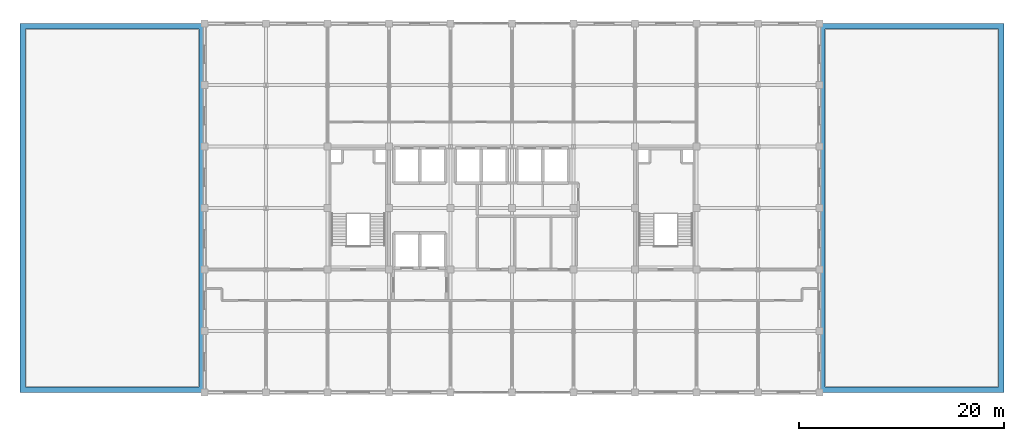
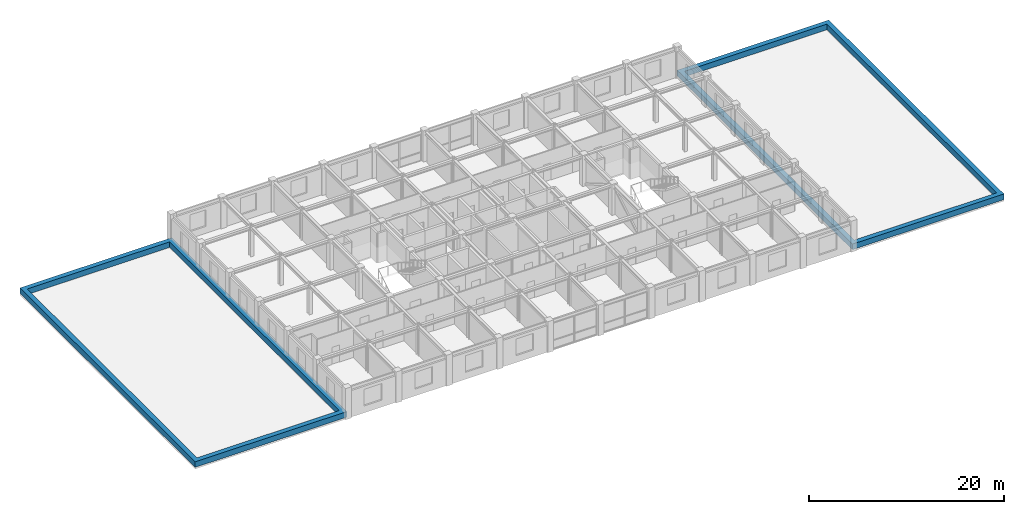
# One storey, part 12 of 13: 2 roofs.
"""IFC4 building model written with IfcOpenShell, lengths in metres."""

import ifcopenshell
import ifcopenshell.guid

model = None  # the IFC model being written
_history = None  # IfcOwnerHistory: only IFC2X3 demands one
_inside = {}  # id of a spatial element -> (the spatial element, [elements in it])
_under = {}  # id of a project, library or spatial element -> (it, [spatial elements below it])
_declared = {}  # id of a project -> (the project, [libraries it declares])
_typed = {}  # id of a type object -> (the type object, [elements of that type])
_made_of = {}  # id of a material, layer set ... -> (it, [elements and type objects made of it])


def new_model(schema):
    """Start an empty IFC model of exactly this schema.

    Asked for "IFC4X3", IfcOpenShell would pick the latest addendum, in which some entities
    have other attributes; the version numbers below select the first issue.
    IFC2X3 requires an IfcOwnerHistory on every rooted entity: one is made here for all.
    """
    global model, _history
    if schema == "IFC4X3":
        model = ifcopenshell.file(schema_version=(4, 3, 0, 0))
    else:
        model = ifcopenshell.file(schema=schema)
    _inside.clear()
    _under.clear()
    _declared.clear()
    _typed.clear()
    _made_of.clear()
    _history = None
    if model.schema == "IFC2X3":
        org = make("IfcOrganization", Name="unknown")
        user = make(
            "IfcPersonAndOrganization",
            ThePerson=make("IfcPerson", FamilyName="unknown"),
            TheOrganization=org,
        )
        app = make(
            "IfcApplication",
            ApplicationDeveloper=org,
            Version="unknown",
            ApplicationFullName="unknown",
            ApplicationIdentifier="unknown",
        )
        _history = make(
            "IfcOwnerHistory",
            OwningUser=user,
            OwningApplication=app,
            ChangeAction="ADDED",
            CreationDate=0,
        )
    return model


def make(cls, **values):
    """One entity of the class cls with the attributes given. An attribute that is None is left unset."""
    return model.create_entity(
        cls, **{name: value for name, value in values.items() if value is not None}
    )


def rooted(cls, **values):
    """An entity with a GlobalId (a new one), such as an element, a storey or a relation."""
    return make(cls, GlobalId=ifcopenshell.guid.new(), OwnerHistory=_history, **values)


def si_unit(unit_type, name, prefix=None):
    """IfcSIUnit, for example si_unit("LENGTHUNIT", "METRE", prefix="MILLI")."""
    return make("IfcSIUnit", UnitType=unit_type, Prefix=prefix, Name=name)


def assignment(units):
    """IfcUnitAssignment: the units of a project."""
    return None if units is None else make("IfcUnitAssignment", Units=units)


def point(xyz):
    """IfcCartesianPoint."""
    return None if xyz is None else make("IfcCartesianPoint", Coordinates=xyz)


def direction(xyz):
    """IfcDirection."""
    return None if xyz is None else make("IfcDirection", DirectionRatios=xyz)


def frame(location, z_axis=None, x_axis=None):
    """IfcAxis2Placement3D, a coordinate frame: its origin and axes. An axis left out is left unset."""
    return make(
        "IfcAxis2Placement3D",
        Location=point(location),
        Axis=direction(z_axis),
        RefDirection=direction(x_axis),
    )


def origin():
    """The frame at (0, 0, 0) with its axes left unset."""
    return frame((0.0, 0.0, 0.0))


def place(relative_to, where):
    """IfcLocalPlacement: puts the frame where relative to a parent placement (None: the world)."""
    return make(
        "IfcLocalPlacement", PlacementRelTo=relative_to, RelativePlacement=where
    )


def context(
    kind, dimensions, precision=None, world=None, true_north=None, identifier=None
):
    """IfcGeometricRepresentationContext, for example the 3D "Model" context."""
    return make(
        "IfcGeometricRepresentationContext",
        ContextIdentifier=identifier,
        ContextType=kind,
        CoordinateSpaceDimension=dimensions,
        Precision=precision,
        WorldCoordinateSystem=world,
        TrueNorth=true_north,
    )


def subcontext(parent, identifier, kind, view, scale=None):
    """IfcGeometricRepresentationSubContext, for example "Body" below "Model"."""
    return make(
        "IfcGeometricRepresentationSubContext",
        ContextIdentifier=identifier,
        ContextType=kind,
        ParentContext=parent,
        TargetScale=scale,
        TargetView=view,
    )


def project(units=None, contexts=None):
    """IfcProject with its units and contexts."""
    return rooted(
        "IfcProject",
        Name="project",
        RepresentationContexts=contexts,
        UnitsInContext=assignment(units),
    )


def spatial(cls, under=None, at=None, **own):
    """A site, building, storey or space (cls), placed at a placement, below another one or the project."""
    s = rooted(cls, ObjectPlacement=at, **own)
    if under is not None:
        _under.setdefault(under.id(), (under, []))[1].append(s)
    return s


def polyline(points):
    """IfcPolyline through the points."""
    return make("IfcPolyline", Points=[point(p) for p in points])


def outline(outer, holes=None, kind="AREA"):
    """IfcArbitraryClosedProfileDef: a profile drawn as a closed curve; with holes, ...WithVoids."""
    if holes is None:
        return make("IfcArbitraryClosedProfileDef", ProfileType=kind, OuterCurve=outer)
    return make(
        "IfcArbitraryProfileDefWithVoids",
        ProfileType=kind,
        OuterCurve=outer,
        InnerCurves=holes,
    )


def extrude(swept, where, along, depth):
    """IfcExtrudedAreaSolid: the profile swept, set in the frame where, extruded along a direction by depth."""
    return make(
        "IfcExtrudedAreaSolid",
        SweptArea=swept,
        Position=where,
        ExtrudedDirection=direction(along),
        Depth=depth,
    )


def shape(context_of_items, identifier, shape_type, items):
    """IfcShapeRepresentation: the items that make up one representation, for example the "Body"."""
    return make(
        "IfcShapeRepresentation",
        ContextOfItems=context_of_items,
        RepresentationIdentifier=identifier,
        RepresentationType=shape_type,
        Items=items,
    )


def material(Name=None, Category=None):
    """IfcMaterial."""
    return make("IfcMaterial", Name=Name, Category=Category)


def layer(
    of_material, thickness, ventilated=None, Name=None, Category=None, Priority=None
):
    """IfcMaterialLayer: one layer of a wall or slab, of a material (None: an air gap)."""
    return make(
        "IfcMaterialLayer",
        Material=of_material,
        LayerThickness=thickness,
        IsVentilated=ventilated,
        Name=Name,
        Category=Category,
        Priority=Priority,
    )


def layer_set(layers, Name=None):
    """IfcMaterialLayerSet."""
    return make("IfcMaterialLayerSet", MaterialLayers=layers, LayerSetName=Name)


def made_of(thing, what):
    """Note that an element or type object is made of a material, layer set ...; save() writes the relation."""
    if what is not None:
        _made_of.setdefault(what.id(), (what, []))[1].append(thing)
    return thing


def type_object(cls, material=None, **own):
    """A type object (cls), such as IfcWallType, which elements share."""
    return made_of(rooted(cls, **own), material)


def element(
    cls,
    number,
    at=None,
    inside=None,
    cuts=None,
    type_object=None,
    material=None,
    context=None,
    identifier="Body",
    shape_type=None,
    held_by="IfcProductDefinitionShape",
    body=None,
    shapes=None,
    **own,
):
    """One element of the class cls, such as IfcWall. Its Tag is "e" and its number.

    at: its placement. inside: the storey or other place that contains it. cuts: it is an
    opening in that element (IfcRelVoidsElement). A single representation is given by context,
    identifier, shape_type and body (its items); several are given by shapes. held_by: the class
    of the entity that holds the representations. save() writes the other relations.
    """
    e = rooted(cls, Tag="e%d" % number, ObjectPlacement=at, **own)
    if body is not None:
        shapes = [shape(context, identifier, shape_type, body)]
    if shapes is not None:
        e.Representation = make(held_by, Representations=shapes)
    if inside is not None:
        _inside.setdefault(inside.id(), (inside, []))[1].append(e)
    if cuts is not None:
        rooted(
            "IfcRelVoidsElement", RelatingBuildingElement=cuts, RelatedOpeningElement=e
        )
    if type_object is not None:
        _typed.setdefault(type_object.id(), (type_object, []))[1].append(e)
    return made_of(e, material)


def aggregate(whole, parts):
    """IfcRelAggregates: a whole, such as a stair, and the parts it consists of."""
    return rooted("IfcRelAggregates", RelatingObject=whole, RelatedObjects=parts)


def save(model, path):
    """Write the relations noted so far, then the file.

    IfcRelAggregates (storeys below a building ...), IfcRelContainedInSpatialStructure (elements
    in a storey), IfcRelDefinesByType, IfcRelAssociatesMaterial and IfcRelDeclares: one each for
    every whole, place, type object, material and project.
    """
    for whole, parts in _under.values():
        aggregate(whole, parts)
    for where, things in _inside.values():
        rooted(
            "IfcRelContainedInSpatialStructure",
            RelatedElements=things,
            RelatingStructure=where,
        )
    for kind, things in _typed.values():
        rooted("IfcRelDefinesByType", RelatedObjects=things, RelatingType=kind)
    for what, things in _made_of.values():
        rooted("IfcRelAssociatesMaterial", RelatedObjects=things, RelatingMaterial=what)
    for by, libraries in _declared.values():
        rooted("IfcRelDeclares", RelatingContext=by, RelatedDefinitions=libraries)
    model.write(path)


model = new_model("IFC4")

# Units and contexts
model_context = context("Model", 3, precision=1e-05, world=origin(), true_north=direction((0.0, 1.0)))
body_context = subcontext(model_context, "Body", "Model", "MODEL_VIEW")
ifc_project = project(units=[si_unit("LENGTHUNIT", "METRE"), si_unit("AREAUNIT", "SQUARE_METRE"), si_unit("VOLUMEUNIT", "CUBIC_METRE"), si_unit("PLANEANGLEUNIT", "RADIAN"), si_unit("MASSUNIT", "GRAM", prefix="KILO")], contexts=[model_context])

# Site, building, storey
site_placement = place(None, origin())
site = spatial("IfcSite", under=ifc_project, at=site_placement, CompositionType="ELEMENT")
building_placement = place(site_placement, origin())
building = spatial("IfcBuilding", under=site, at=building_placement, Name="Zlatovratsky Civic Hall", CompositionType="ELEMENT")
storey_placement = place(building_placement, frame((0.0, 0.0, 24.89990234375)))
storey = spatial("IfcBuildingStorey", under=building, at=storey_placement, Name="L06", CompositionType="ELEMENT", Elevation=24.89990234375)

# Roofs
ifc_material = material(Name="Standing-seam patinated copper roofing")
ifc_layer = layer(ifc_material, 0.080078125)
ifc_layer_set = layer_set([ifc_layer], Name="Standing-seam patinated copper roofing")
roof_type = type_object("IfcRoofType", Name="Roof_MansardBrisisShell", PredefinedType="MANSARD_ROOF", material=ifc_layer_set)
roof_1_placement = place(storey_placement, origin())
element("IfcRoof", 1, at=roof_1_placement, inside=storey, type_object=roof_type, Name="MRF-L05-W", PredefinedType="MANSARD_ROOF", context=body_context, shape_type="SweptSolid", body=[
    extrude(outline(polyline([(36.0, 72.0), (54.0, 72.0), (54.0, 108.0), (36.0, 108.0), (36.0, 72.0)]), holes=[polyline([(36.550048828125, 72.550048828125), (53.449951171875, 72.550048828125), (53.449951171875, 107.449951171875), (36.550048828125, 107.449951171875), (36.550048828125, 72.550048828125)])]), origin(), (0.0, 0.0, 1.0), 0.7001953125),
])
roof_2_placement = place(storey_placement, origin())
element("IfcRoof", 2, at=roof_2_placement, inside=storey, type_object=roof_type, Name="MRF-L05-E", PredefinedType="MANSARD_ROOF", context=body_context, shape_type="SweptSolid", body=[
    extrude(outline(polyline([(114.0, 72.0), (132.0, 72.0), (132.0, 108.0), (114.0, 108.0), (114.0, 72.0)]), holes=[polyline([(114.550048828125, 72.550048828125), (131.449951171875, 72.550048828125), (131.449951171875, 107.449951171875), (114.550048828125, 107.449951171875), (114.550048828125, 72.550048828125)])]), origin(), (0.0, 0.0, 1.0), 0.7001953125),
])

save(model, "model.ifc")
